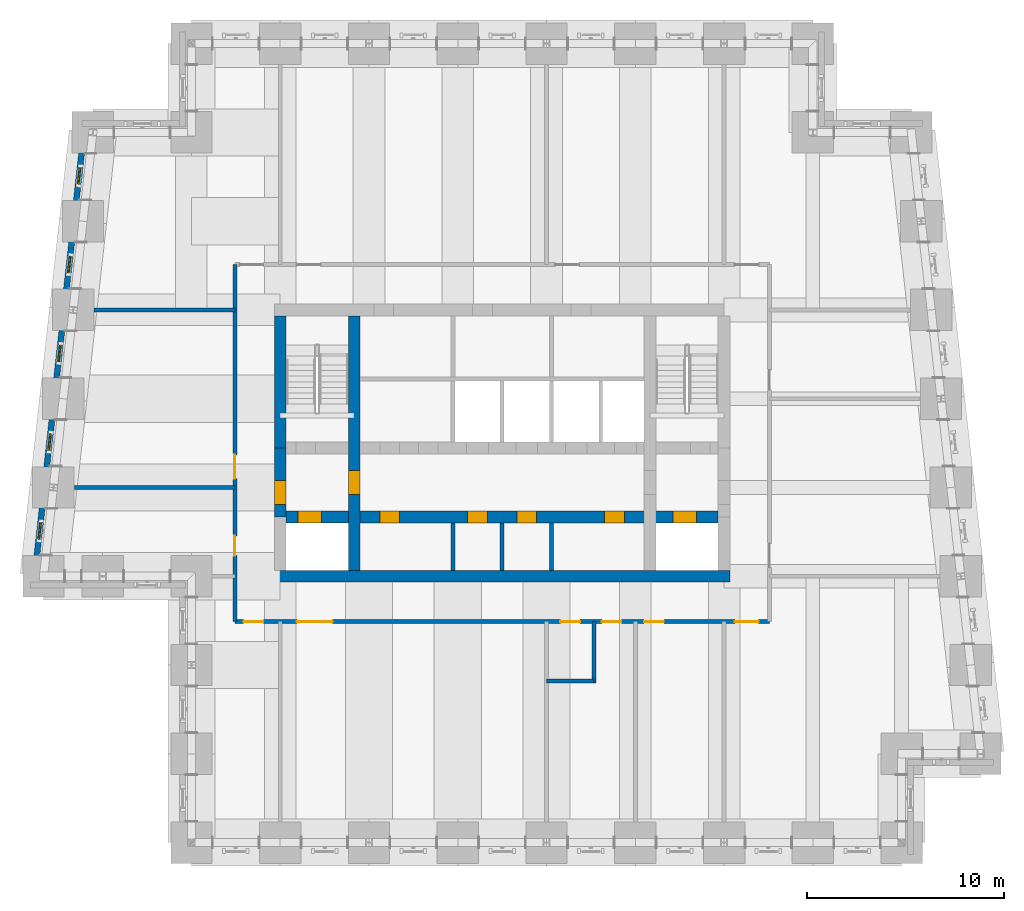
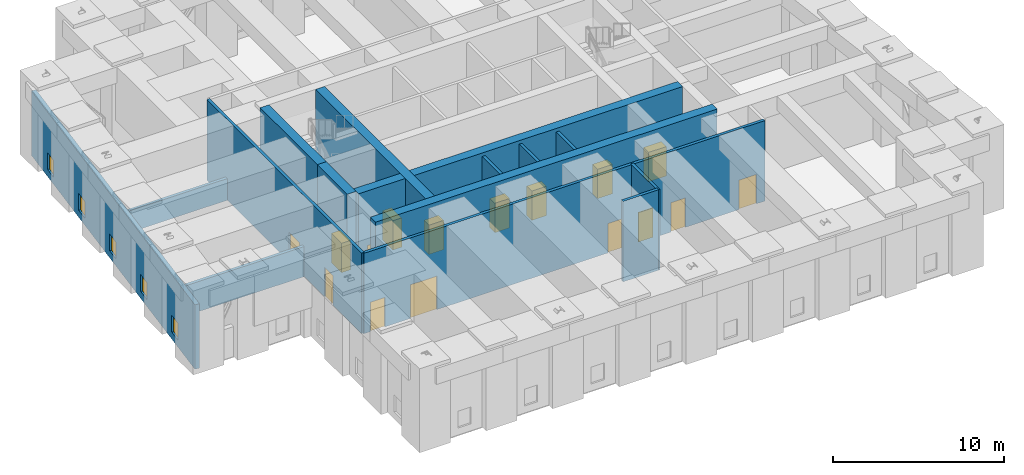
# One storey, part 3 of 17: 16 doors, 15 walls, 5 windows, 21 openings.
"""IFC4 building model written with IfcOpenShell, lengths in metres."""

from ifc_helpers import new_model, si_unit, direction, frame, frame_2d, origin, place, context, subcontext, project, spatial, rectangle, extrude, material, layer, layer_set, type_object, element, fill, save


model = new_model("IFC4")

# Units and contexts
model_context = context("Model", 3, precision=1e-05, world=origin(), true_north=direction((0.0, 1.0)))
body_context = subcontext(model_context, "Body", "Model", "MODEL_VIEW")
ifc_project = project(units=[si_unit("LENGTHUNIT", "METRE"), si_unit("AREAUNIT", "SQUARE_METRE"), si_unit("VOLUMEUNIT", "CUBIC_METRE"), si_unit("PLANEANGLEUNIT", "RADIAN"), si_unit("MASSUNIT", "GRAM", prefix="KILO")], contexts=[model_context])

# Site, building, storey
site_placement = place(None, origin())
site = spatial("IfcSite", under=ifc_project, at=site_placement, CompositionType="ELEMENT")
building_placement = place(site_placement, origin())
building = spatial("IfcBuilding", under=site, at=building_placement, Name="Kilele Tower Hotel", CompositionType="ELEMENT")
storey_placement = place(building_placement, frame((0.0, 0.0, 211.39990234375)))
storey = spatial("IfcBuildingStorey", under=building, at=storey_placement, Name="L55", CompositionType="ELEMENT", Elevation=211.39990234375)

# Wall
ifc_material_1 = material(Name="Concrete C60/75", Category="concrete")
ifc_layer_1 = layer(ifc_material_1, 0.60009765625)
ifc_layer_set_1 = layer_set([ifc_layer_1], Name="Concrete C60/75")
wall_type_1 = type_object("IfcWallType", Name="Core wall 600 C60/75", PredefinedType="SHEAR", material=ifc_layer_set_1)
wall_1_placement = place(storey_placement, frame((13.199951171875, 13.5, 0.0), z_axis=(0.0, 0.0, 1.0), x_axis=(1.0, 0.0, 0.0)))
element("IfcWall", 1, at=wall_1_placement, inside=storey, type_object=wall_type_1, Name="Core wall S L55", PredefinedType="SHEAR", context=body_context, shape_type="SweptSolid", body=[
    extrude(rectangle(XDim=23.10009765625, YDim=0.60009765625, at=frame_2d((11.550048828125, 0.0))), origin(), (0.0, 0.0, 1.0), 6.0),
])

# Wall, opening, door
wall_2_placement = place(storey_placement, frame((17.25, 13.800048828125, 0.0), z_axis=(0.0, 0.0, 1.0), x_axis=(0.0, 1.0, 0.0)))
wall_2 = element("IfcWall", 2, at=wall_2_placement, inside=storey, type_object=wall_type_1, Name="Core wall IW L55", PredefinedType="SHEAR", context=body_context, shape_type="SweptSolid", body=[
    extrude(rectangle(XDim=12.89990234375, YDim=0.60009765625, at=frame_2d((6.449951171875, 0.0))), origin(), (0.0, 0.0, 1.0), 6.0),
])
opening_1_placement = place(wall_2_placement, frame((3.85009765625, 0.0, 0.0)))
opening_1 = element("IfcOpeningElement", 3, at=opening_1_placement, cuts=wall_2, Name="Opening D4", PredefinedType="OPENING", context=body_context, shape_type="SweptSolid", body=[
    extrude(rectangle(XDim=1.199951171875, YDim=2.10009765625, at=frame_2d((0.60009765625, 1.050048828125))), frame((0.0, 0.31005859375, 0.0), z_axis=(0.0, -1.0, 0.0), x_axis=(1.0, 0.0, 0.0)), (0.0, 0.0, 1.0), 0.6201171875),
])
ifc_material_2 = material(Name="Timber door leaf in hardwood frame", Category="wood")
door_type_1 = type_object("IfcDoorType", Name="Firefighting lobby door 1200", OperationType="SINGLE_SWING_LEFT", PredefinedType="DOOR", material=ifc_material_2)
door_1_placement = place(opening_1_placement, origin())
door_1 = element("IfcDoor", 4, at=door_1_placement, inside=storey, type_object=door_type_1, Name="Lobby door L55", OperationType="SINGLE_SWING_LEFT", OverallHeight=2.10009765625, OverallWidth=1.199951171875, PredefinedType="DOOR", context=body_context, shape_type="SweptSolid", body=[
    extrude(rectangle(XDim=1.199951171875, YDim=2.10009765625, at=frame_2d((0.60009765625, 1.050048828125))), frame((0.0, 0.2998046875, 0.0), z_axis=(0.0, -1.0, 0.0), x_axis=(1.0, 0.0, 0.0)), (0.0, 0.0, 1.0), 0.599609375),
])
fill(opening_1, door_1)

# Wall, openings, doors
wall_3_placement = place(storey_placement, frame((13.800048828125, 16.5, 0.0), z_axis=(0.0, 0.0, 1.0), x_axis=(1.0, 0.0, 0.0)))
wall_3 = element("IfcWall", 5, at=wall_3_placement, inside=storey, type_object=wall_type_1, Name="Core wall LS L55", PredefinedType="SHEAR", context=body_context, shape_type="SweptSolid", body=[
    extrude(rectangle(XDim=21.89990234375, YDim=0.60009765625, at=frame_2d((10.949951171875, 0.0))), origin(), (0.0, 0.0, 1.0), 6.0),
])
opening_2_placement = place(wall_3_placement, frame((5.75, 0.0, 0.0), z_axis=(0.0, 0.0, 1.0), x_axis=(-1.0, 0.0, 0.0)))
opening_2 = element("IfcOpeningElement", 6, at=opening_2_placement, cuts=wall_3, Name="Opening D11", PredefinedType="OPENING", context=body_context, shape_type="SweptSolid", body=[
    extrude(rectangle(XDim=1.0, YDim=2.10009765625, at=frame_2d((0.5, 1.050048828125))), frame((0.0, 0.31005859375, 0.0), z_axis=(0.0, -1.0, 0.0), x_axis=(1.0, 0.0, 0.0)), (0.0, 0.0, 1.0), 0.6201171875),
])
opening_3_placement = place(wall_3_placement, frame((10.199951171875, 0.0, 0.0), z_axis=(0.0, 0.0, 1.0), x_axis=(-1.0, 0.0, 0.0)))
opening_3 = element("IfcOpeningElement", 7, at=opening_3_placement, cuts=wall_3, Name="Opening D11", PredefinedType="OPENING", context=body_context, shape_type="SweptSolid", body=[
    extrude(rectangle(XDim=1.0, YDim=2.10009765625, at=frame_2d((0.5, 1.050048828125))), frame((0.0, 0.31005859375, 0.0), z_axis=(0.0, -1.0, 0.0), x_axis=(1.0, 0.0, 0.0)), (0.0, 0.0, 1.0), 0.6201171875),
])
opening_4_placement = place(wall_3_placement, frame((12.699951171875, 0.0, 0.0), z_axis=(0.0, 0.0, 1.0), x_axis=(-1.0, 0.0, 0.0)))
opening_4 = element("IfcOpeningElement", 8, at=opening_4_placement, cuts=wall_3, Name="Opening D11", PredefinedType="OPENING", context=body_context, shape_type="SweptSolid", body=[
    extrude(rectangle(XDim=1.0, YDim=2.10009765625, at=frame_2d((0.5, 1.050048828125))), frame((0.0, 0.31005859375, 0.0), z_axis=(0.0, -1.0, 0.0), x_axis=(1.0, 0.0, 0.0)), (0.0, 0.0, 1.0), 0.6201171875),
])
opening_5_placement = place(wall_3_placement, frame((17.14990234375, 0.0, 0.0), z_axis=(0.0, 0.0, 1.0), x_axis=(-1.0, 0.0, 0.0)))
opening_5 = element("IfcOpeningElement", 9, at=opening_5_placement, cuts=wall_3, Name="Opening D11", PredefinedType="OPENING", context=body_context, shape_type="SweptSolid", body=[
    extrude(rectangle(XDim=1.0, YDim=2.10009765625, at=frame_2d((0.5, 1.050048828125))), frame((0.0, 0.31005859375, 0.0), z_axis=(0.0, -1.0, 0.0), x_axis=(1.0, 0.0, 0.0)), (0.0, 0.0, 1.0), 0.6201171875),
])
opening_6_placement = place(wall_3_placement, frame((0.60009765625, 0.0, 0.0)))
opening_6 = element("IfcOpeningElement", 10, at=opening_6_placement, cuts=wall_3, Name="Opening LD2", PredefinedType="OPENING", context=body_context, shape_type="SweptSolid", body=[
    extrude(rectangle(XDim=1.199951171875, YDim=2.10009765625, at=frame_2d((0.60009765625, 1.050048828125))), frame((0.0, 0.31005859375, 0.0), z_axis=(0.0, -1.0, 0.0), x_axis=(1.0, 0.0, 0.0)), (0.0, 0.0, 1.0), 0.6201171875),
])
opening_7_placement = place(wall_3_placement, frame((19.60009765625, 0.0, 0.0)))
opening_7 = element("IfcOpeningElement", 11, at=opening_7_placement, cuts=wall_3, Name="Opening LD2", PredefinedType="OPENING", context=body_context, shape_type="SweptSolid", body=[
    extrude(rectangle(XDim=1.199951171875, YDim=2.10009765625, at=frame_2d((0.60009765625, 1.050048828125))), frame((0.0, 0.31005859375, 0.0), z_axis=(0.0, -1.0, 0.0), x_axis=(1.0, 0.0, 0.0)), (0.0, 0.0, 1.0), 0.6201171875),
])
ifc_material_3 = material(Name="Timber door leaf in hardwood frame", Category="wood")
door_type_2 = type_object("IfcDoorType", Name="Core store door 1000", OperationType="SINGLE_SWING_LEFT", PredefinedType="DOOR", material=ifc_material_3)
door_2_placement = place(opening_2_placement, origin())
door_2 = element("IfcDoor", 12, at=door_2_placement, inside=storey, type_object=door_type_2, Name="Core room door L1 L55", OperationType="SINGLE_SWING_RIGHT", OverallHeight=2.10009765625, OverallWidth=1.0, PredefinedType="DOOR", context=body_context, shape_type="SweptSolid", body=[
    extrude(rectangle(XDim=1.0, YDim=2.10009765625, at=frame_2d((0.5, 1.050048828125))), frame((0.0, 0.2998046875, 0.0), z_axis=(0.0, -1.0, 0.0), x_axis=(1.0, 0.0, 0.0)), (0.0, 0.0, 1.0), 0.599609375),
])
fill(opening_2, door_2)
door_3_placement = place(opening_3_placement, origin())
door_3 = element("IfcDoor", 13, at=door_3_placement, inside=storey, type_object=door_type_2, Name="Core room door L3 L55", OperationType="SINGLE_SWING_RIGHT", OverallHeight=2.10009765625, OverallWidth=1.0, PredefinedType="DOOR", context=body_context, shape_type="SweptSolid", body=[
    extrude(rectangle(XDim=1.0, YDim=2.10009765625, at=frame_2d((0.5, 1.050048828125))), frame((0.0, 0.2998046875, 0.0), z_axis=(0.0, -1.0, 0.0), x_axis=(1.0, 0.0, 0.0)), (0.0, 0.0, 1.0), 0.599609375),
])
fill(opening_3, door_3)
door_4_placement = place(opening_4_placement, origin())
door_4 = element("IfcDoor", 14, at=door_4_placement, inside=storey, type_object=door_type_2, Name="Core room door M1 L55", OperationType="SINGLE_SWING_LEFT", OverallHeight=2.10009765625, OverallWidth=1.0, PredefinedType="DOOR", context=body_context, shape_type="SweptSolid", body=[
    extrude(rectangle(XDim=1.0, YDim=2.10009765625, at=frame_2d((0.5, 1.050048828125))), frame((0.0, 0.2998046875, 0.0), z_axis=(0.0, -1.0, 0.0), x_axis=(1.0, 0.0, 0.0)), (0.0, 0.0, 1.0), 0.599609375),
])
fill(opening_4, door_4)
door_5_placement = place(opening_5_placement, origin())
door_5 = element("IfcDoor", 15, at=door_5_placement, inside=storey, type_object=door_type_2, Name="Core room door M3 L55", OperationType="SINGLE_SWING_LEFT", OverallHeight=2.10009765625, OverallWidth=1.0, PredefinedType="DOOR", context=body_context, shape_type="SweptSolid", body=[
    extrude(rectangle(XDim=1.0, YDim=2.10009765625, at=frame_2d((0.5, 1.050048828125))), frame((0.0, 0.2998046875, 0.0), z_axis=(0.0, -1.0, 0.0), x_axis=(1.0, 0.0, 0.0)), (0.0, 0.0, 1.0), 0.599609375),
])
fill(opening_5, door_5)
ifc_material_4 = material(Name="Steel lift landing door", Category="steel")
door_type_3 = type_object("IfcDoorType", Name="Firefighting lift landing door 1200", OperationType="SLIDING_TO_LEFT", PredefinedType="DOOR", material=ifc_material_4)
door_6_placement = place(opening_6_placement, origin())
door_6 = element("IfcDoor", 16, at=door_6_placement, inside=storey, type_object=door_type_3, Name="Landing door FFW L55", OperationType="SLIDING_TO_LEFT", OverallHeight=2.10009765625, OverallWidth=1.199951171875, PredefinedType="DOOR", context=body_context, shape_type="SweptSolid", body=[
    extrude(rectangle(XDim=1.199951171875, YDim=2.10009765625, at=frame_2d((0.60009765625, 1.050048828125))), frame((0.0, 0.2998046875, 0.0), z_axis=(0.0, -1.0, 0.0), x_axis=(1.0, 0.0, 0.0)), (0.0, 0.0, 1.0), 0.599609375),
])
fill(opening_6, door_6)
door_7_placement = place(opening_7_placement, origin())
door_7 = element("IfcDoor", 17, at=door_7_placement, inside=storey, type_object=door_type_3, Name="Landing door FFE L55", OperationType="SLIDING_TO_LEFT", OverallHeight=2.10009765625, OverallWidth=1.199951171875, PredefinedType="DOOR", context=body_context, shape_type="SweptSolid", body=[
    extrude(rectangle(XDim=1.199951171875, YDim=2.10009765625, at=frame_2d((0.60009765625, 1.050048828125))), frame((0.0, 0.2998046875, 0.0), z_axis=(0.0, -1.0, 0.0), x_axis=(1.0, 0.0, 0.0)), (0.0, 0.0, 1.0), 0.599609375),
])
fill(opening_7, door_7)

# Wall
wall_4_placement = place(storey_placement, frame((13.5, 26.699951171875, 0.0), z_axis=(0.0, 0.0, 1.0), x_axis=(0.0, -1.0, 0.0)))
element("IfcWall", 18, at=wall_4_placement, inside=storey, type_object=wall_type_1, Name="Core wall W1 L55", PredefinedType="SHEAR", context=body_context, shape_type="SweptSolid", body=[
    extrude(rectangle(XDim=6.699951171875, YDim=0.60009765625, at=frame_2d((3.35009765625, 0.0))), origin(), (0.0, 0.0, 1.0), 6.0),
])

# Wall, opening, door
wall_5_placement = place(storey_placement, frame((13.5, 20.0, 0.0), z_axis=(0.0, 0.0, 1.0), x_axis=(0.0, -1.0, 0.0)))
wall_5 = element("IfcWall", 19, at=wall_5_placement, inside=storey, type_object=wall_type_1, Name="Core wall W2 L55", PredefinedType="SHEAR", context=body_context, shape_type="SweptSolid", body=[
    extrude(rectangle(XDim=3.5, YDim=0.60009765625, at=frame_2d((1.75, 0.0))), origin(), (0.0, 0.0, 1.0), 6.0),
])
opening_8_placement = place(wall_5_placement, frame((1.64990234375, 0.0, 0.0)))
opening_8 = element("IfcOpeningElement", 20, at=opening_8_placement, cuts=wall_5, Name="Opening D4", PredefinedType="OPENING", context=body_context, shape_type="SweptSolid", body=[
    extrude(rectangle(XDim=1.199951171875, YDim=2.10009765625, at=frame_2d((0.60009765625, 1.050048828125))), frame((0.0, 0.31005859375, 0.0), z_axis=(0.0, -1.0, 0.0), x_axis=(1.0, 0.0, 0.0)), (0.0, 0.0, 1.0), 0.6201171875),
])
door_8_placement = place(opening_8_placement, origin())
door_8 = element("IfcDoor", 21, at=door_8_placement, inside=storey, type_object=door_type_1, Name="Lobby door L55", OperationType="SINGLE_SWING_RIGHT", OverallHeight=2.10009765625, OverallWidth=1.199951171875, PredefinedType="DOOR", context=body_context, shape_type="SweptSolid", body=[
    extrude(rectangle(XDim=1.199951171875, YDim=2.10009765625, at=frame_2d((0.60009765625, 1.050048828125))), frame((0.0, 0.2998046875, 0.0), z_axis=(0.0, -1.0, 0.0), x_axis=(1.0, 0.0, 0.0)), (0.0, 0.0, 1.0), 0.599609375),
])
fill(opening_8, door_8)

# Wall, openings, doors
ifc_material_5 = material(Name="Blockwork, plastered both sides", Category="masonry")
ifc_layer_2 = layer(ifc_material_5, 0.199951171875)
ifc_layer_set_2 = layer_set([ifc_layer_2], Name="Blockwork, plastered both sides")
wall_type_2 = type_object("IfcWallType", Name="Corridor wall 200", PredefinedType="PARTITIONING", material=ifc_layer_set_2)
wall_6_placement = place(storey_placement, frame((11.199951171875, 11.199951171875, 0.0), z_axis=(0.0, 0.0, 1.0), x_axis=(1.0, 0.0, 0.0)))
wall_6 = element("IfcWall", 22, at=wall_6_placement, inside=storey, type_object=wall_type_2, Name="Corridor wall 200 L55", PredefinedType="PARTITIONING", context=body_context, shape_type="SweptSolid", body=[
    extrude(rectangle(XDim=27.10009765625, YDim=0.199951171875, at=frame_2d((13.550048828125, 0.0))), origin(), (0.0, 0.0, 1.0), 5.75),
])
opening_9_placement = place(wall_6_placement, frame((4.949951171875, 0.0, 0.0), z_axis=(0.0, 0.0, 1.0), x_axis=(-1.0, 0.0, 0.0)))
opening_9 = element("IfcOpeningElement", 23, at=opening_9_placement, cuts=wall_6, Name="Opening D9", PredefinedType="OPENING", context=body_context, shape_type="SweptSolid", body=[
    extrude(rectangle(XDim=1.800048828125, YDim=2.39990234375, at=frame_2d((0.89990234375, 1.199951171875))), frame((0.0, 0.10986328125, 0.0), z_axis=(0.0, -1.0, 0.0), x_axis=(1.0, 0.0, 0.0)), (0.0, 0.0, 1.0), 0.219970703125),
])
opening_10_placement = place(wall_6_placement, frame((17.5, 0.0, 0.0), z_axis=(0.0, 0.0, 1.0), x_axis=(-1.0, 0.0, 0.0)))
opening_10 = element("IfcOpeningElement", 24, at=opening_10_placement, cuts=wall_6, Name="Opening D8", PredefinedType="OPENING", context=body_context, shape_type="SweptSolid", body=[
    extrude(rectangle(XDim=1.0, YDim=2.10009765625, at=frame_2d((0.5, 1.050048828125))), frame((0.0, 0.10986328125, 0.0), z_axis=(0.0, -1.0, 0.0), x_axis=(1.0, 0.0, 0.0)), (0.0, 0.0, 1.0), 0.219970703125),
])
opening_11_placement = place(wall_6_placement, frame((19.60009765625, 0.0, 0.0), z_axis=(0.0, 0.0, 1.0), x_axis=(-1.0, 0.0, 0.0)))
opening_11 = element("IfcOpeningElement", 25, at=opening_11_placement, cuts=wall_6, Name="Opening D8", PredefinedType="OPENING", context=body_context, shape_type="SweptSolid", body=[
    extrude(rectangle(XDim=1.0, YDim=2.10009765625, at=frame_2d((0.5, 1.050048828125))), frame((0.0, 0.10986328125, 0.0), z_axis=(0.0, -1.0, 0.0), x_axis=(1.0, 0.0, 0.0)), (0.0, 0.0, 1.0), 0.219970703125),
])
opening_12_placement = place(wall_6_placement, frame((21.75, 0.0, 0.0), z_axis=(0.0, 0.0, 1.0), x_axis=(-1.0, 0.0, 0.0)))
opening_12 = element("IfcOpeningElement", 26, at=opening_12_placement, cuts=wall_6, Name="Opening D7", PredefinedType="OPENING", context=body_context, shape_type="SweptSolid", body=[
    extrude(rectangle(XDim=1.0, YDim=2.10009765625, at=frame_2d((0.5, 1.050048828125))), frame((0.0, 0.10986328125, 0.0), z_axis=(0.0, -1.0, 0.0), x_axis=(1.0, 0.0, 0.0)), (0.0, 0.0, 1.0), 0.219970703125),
])
opening_13_placement = place(wall_6_placement, frame((1.449951171875, 0.0, 0.0), z_axis=(0.0, 0.0, 1.0), x_axis=(-1.0, 0.0, 0.0)))
opening_13 = element("IfcOpeningElement", 27, at=opening_13_placement, cuts=wall_6, Name="Opening D7", PredefinedType="OPENING", context=body_context, shape_type="SweptSolid", body=[
    extrude(rectangle(XDim=1.0, YDim=2.10009765625, at=frame_2d((0.5, 1.050048828125))), frame((0.0, 0.10986328125, 0.0), z_axis=(0.0, -1.0, 0.0), x_axis=(1.0, 0.0, 0.0)), (0.0, 0.0, 1.0), 0.219970703125),
])
opening_14_placement = place(wall_6_placement, frame((26.550048828125, 0.0, 0.0), z_axis=(0.0, 0.0, 1.0), x_axis=(-1.0, 0.0, 0.0)))
opening_14 = element("IfcOpeningElement", 28, at=opening_14_placement, cuts=wall_6, Name="Opening D7A", PredefinedType="OPENING", context=body_context, shape_type="SweptSolid", body=[
    extrude(rectangle(XDim=1.199951171875, YDim=2.10009765625, at=frame_2d((0.60009765625, 1.050048828125))), frame((0.0, 0.10986328125, 0.0), z_axis=(0.0, -1.0, 0.0), x_axis=(1.0, 0.0, 0.0)), (0.0, 0.0, 1.0), 0.219970703125),
])
ifc_material_6 = material(Name="Timber door leaf in hardwood frame", Category="wood")
door_type_4 = type_object("IfcDoorType", Name="Door 1000", OperationType="SINGLE_SWING_LEFT", PredefinedType="DOOR", material=ifc_material_6)
door_9_placement = place(opening_10_placement, origin())
door_9 = element("IfcDoor", 29, at=door_9_placement, inside=storey, type_object=door_type_4, Name="Door Accessible WC 5502", OperationType="SINGLE_SWING_LEFT", OverallHeight=2.10009765625, OverallWidth=1.0, PredefinedType="DOOR", context=body_context, shape_type="SweptSolid", body=[
    extrude(rectangle(XDim=1.0, YDim=2.10009765625, at=frame_2d((0.5, 1.050048828125))), frame((0.0, 0.02490234375, 0.0), z_axis=(0.0, -1.0, 0.0), x_axis=(1.0, 0.0, 0.0)), (0.0, 0.0, 1.0), 0.050048828125),
])
fill(opening_10, door_9)
door_10_placement = place(opening_11_placement, origin())
door_10 = element("IfcDoor", 30, at=door_10_placement, inside=storey, type_object=door_type_4, Name="Door Refuge store 5503", OperationType="SINGLE_SWING_RIGHT", OverallHeight=2.10009765625, OverallWidth=1.0, PredefinedType="DOOR", context=body_context, shape_type="SweptSolid", body=[
    extrude(rectangle(XDim=1.0, YDim=2.10009765625, at=frame_2d((0.5, 1.050048828125))), frame((0.0, 0.02490234375, 0.0), z_axis=(0.0, -1.0, 0.0), x_axis=(1.0, 0.0, 0.0)), (0.0, 0.0, 1.0), 0.050048828125),
])
fill(opening_11, door_10)
ifc_material_7 = material(Name="Timber door leaf in hardwood frame", Category="wood")
door_type_5 = type_object("IfcDoorType", Name="Double door 1800", OperationType="DOUBLE_DOOR_SINGLE_SWING", PredefinedType="DOOR", material=ifc_material_7)
door_11_placement = place(opening_9_placement, origin())
door_11 = element("IfcDoor", 31, at=door_11_placement, inside=storey, type_object=door_type_5, Name="Door Refuge area 5501", OperationType="DOUBLE_DOOR_SINGLE_SWING", OverallHeight=2.39990234375, OverallWidth=1.800048828125, PredefinedType="DOOR", context=body_context, shape_type="SweptSolid", body=[
    extrude(rectangle(XDim=1.800048828125, YDim=2.39990234375, at=frame_2d((0.89990234375, 1.199951171875))), frame((0.0, 0.02490234375, 0.0), z_axis=(0.0, -1.0, 0.0), x_axis=(1.0, 0.0, 0.0)), (0.0, 0.0, 1.0), 0.050048828125),
])
fill(opening_9, door_11)
ifc_material_8 = material(Name="Timber door leaf in hardwood frame", Category="wood")
door_type_6 = type_object("IfcDoorType", Name="Plant room door 1000", OperationType="SINGLE_SWING_LEFT", PredefinedType="DOOR", material=ifc_material_8)
door_12_placement = place(opening_12_placement, origin())
door_12 = element("IfcDoor", 32, at=door_12_placement, inside=storey, type_object=door_type_6, Name="Door High-zone electrical switch room 5504", OperationType="SINGLE_SWING_RIGHT", OverallHeight=2.10009765625, OverallWidth=1.0, PredefinedType="DOOR", context=body_context, shape_type="SweptSolid", body=[
    extrude(rectangle(XDim=1.0, YDim=2.10009765625, at=frame_2d((0.5, 1.050048828125))), frame((0.0, 0.02490234375, 0.0), z_axis=(0.0, -1.0, 0.0), x_axis=(1.0, 0.0, 0.0)), (0.0, 0.0, 1.0), 0.050048828125),
])
fill(opening_12, door_12)
door_13_placement = place(opening_13_placement, origin())
door_13 = element("IfcDoor", 33, at=door_13_placement, inside=storey, type_object=door_type_6, Name="Door High-zone sprinkler zone valve room 5511", OperationType="SINGLE_SWING_LEFT", OverallHeight=2.10009765625, OverallWidth=1.0, PredefinedType="DOOR", context=body_context, shape_type="SweptSolid", body=[
    extrude(rectangle(XDim=1.0, YDim=2.10009765625, at=frame_2d((0.5, 1.050048828125))), frame((0.0, 0.02490234375, 0.0), z_axis=(0.0, -1.0, 0.0), x_axis=(1.0, 0.0, 0.0)), (0.0, 0.0, 1.0), 0.050048828125),
])
fill(opening_13, door_13)
ifc_material_9 = material(Name="Timber door leaf in hardwood frame", Category="wood")
door_type_7 = type_object("IfcDoorType", Name="Plant room door 1200", OperationType="SINGLE_SWING_LEFT", PredefinedType="DOOR", material=ifc_material_9)
door_14_placement = place(opening_14_placement, origin())
door_14 = element("IfcDoor", 34, at=door_14_placement, inside=storey, type_object=door_type_7, Name="Door High-zone smoke extract fan room 5512", OperationType="SINGLE_SWING_RIGHT", OverallHeight=2.10009765625, OverallWidth=1.199951171875, PredefinedType="DOOR", context=body_context, shape_type="SweptSolid", body=[
    extrude(rectangle(XDim=1.199951171875, YDim=2.10009765625, at=frame_2d((0.60009765625, 1.050048828125))), frame((0.0, 0.02490234375, 0.0), z_axis=(0.0, -1.0, 0.0), x_axis=(1.0, 0.0, 0.0)), (0.0, 0.0, 1.0), 0.050048828125),
])
fill(opening_14, door_14)

wall_7_placement = place(storey_placement, frame((11.199951171875, 11.199951171875, 0.0), z_axis=(0.0, 0.0, 1.0), x_axis=(0.0, 1.0, 0.0)))
wall_7 = element("IfcWall", 35, at=wall_7_placement, inside=storey, type_object=wall_type_2, Name="Corridor wall 200 L55", PredefinedType="PARTITIONING", context=body_context, shape_type="SweptSolid", body=[
    extrude(rectangle(XDim=18.10009765625, YDim=0.199951171875, at=frame_2d((9.050048828125, 0.0))), origin(), (0.0, 0.0, 1.0), 5.75),
])
opening_15_placement = place(wall_7_placement, frame((3.35009765625, 0.0, 0.0)))
opening_15 = element("IfcOpeningElement", 36, at=opening_15_placement, cuts=wall_7, Name="Opening D7", PredefinedType="OPENING", context=body_context, shape_type="SweptSolid", body=[
    extrude(rectangle(XDim=1.0, YDim=2.10009765625, at=frame_2d((0.5, 1.050048828125))), frame((0.0, 0.10986328125, 0.0), z_axis=(0.0, -1.0, 0.0), x_axis=(1.0, 0.0, 0.0)), (0.0, 0.0, 1.0), 0.219970703125),
])
opening_16_placement = place(wall_7_placement, frame((7.25, 0.0, 0.0)))
opening_16 = element("IfcOpeningElement", 37, at=opening_16_placement, cuts=wall_7, Name="Opening D7A", PredefinedType="OPENING", context=body_context, shape_type="SweptSolid", body=[
    extrude(rectangle(XDim=1.199951171875, YDim=2.10009765625, at=frame_2d((0.60009765625, 1.050048828125))), frame((0.0, 0.10986328125, 0.0), z_axis=(0.0, -1.0, 0.0), x_axis=(1.0, 0.0, 0.0)), (0.0, 0.0, 1.0), 0.219970703125),
])
door_15_placement = place(opening_15_placement, origin())
door_15 = element("IfcDoor", 38, at=door_15_placement, inside=storey, type_object=door_type_6, Name="Door Stair pressurisation fan room 5509", OperationType="SINGLE_SWING_LEFT", OverallHeight=2.10009765625, OverallWidth=1.0, PredefinedType="DOOR", context=body_context, shape_type="SweptSolid", body=[
    extrude(rectangle(XDim=1.0, YDim=2.10009765625, at=frame_2d((0.5, 1.050048828125))), frame((0.0, 0.02490234375, 0.0), z_axis=(0.0, -1.0, 0.0), x_axis=(1.0, 0.0, 0.0)), (0.0, 0.0, 1.0), 0.050048828125),
])
fill(opening_15, door_15)
door_16_placement = place(opening_16_placement, origin())
door_16 = element("IfcDoor", 39, at=door_16_placement, inside=storey, type_object=door_type_7, Name="Door High-zone water tank room 5510", OperationType="SINGLE_SWING_LEFT", OverallHeight=2.10009765625, OverallWidth=1.199951171875, PredefinedType="DOOR", context=body_context, shape_type="SweptSolid", body=[
    extrude(rectangle(XDim=1.199951171875, YDim=2.10009765625, at=frame_2d((0.60009765625, 1.050048828125))), frame((0.0, 0.02490234375, 0.0), z_axis=(0.0, -1.0, 0.0), x_axis=(1.0, 0.0, 0.0)), (0.0, 0.0, 1.0), 0.050048828125),
])
fill(opening_16, door_16)

# Walls
ifc_material_10 = material(Name="Blockwork, plastered both sides", Category="masonry")
ifc_layer_3 = layer(ifc_material_10, 0.199951171875)
ifc_layer_set_3 = layer_set([ifc_layer_3], Name="Blockwork, plastered both sides")
wall_type_3 = type_object("IfcWallType", Name="Partition wall 200", PredefinedType="PARTITIONING", material=ifc_layer_set_3)
wall_8_placement = place(storey_placement, frame((11.199951171875, 18.0, 0.0), z_axis=(0.0, 0.0, 1.0), x_axis=(-1.0, 0.0, 0.0)))
element("IfcWall", 40, at=wall_8_placement, inside=storey, type_object=wall_type_3, Name="Partition wall 200 L55", PredefinedType="PARTITIONING", context=body_context, shape_type="SweptSolid", body=[
    extrude(rectangle(XDim=8.13916015625, YDim=0.199951171875, at=frame_2d((4.069580078125, 0.0))), origin(), (0.0, 0.0, 1.0), 2.150146484375),
])
wall_9_placement = place(storey_placement, frame((11.199951171875, 27.0, 0.0), z_axis=(0.0, 0.0, 1.0), x_axis=(-1.0, 0.0, 0.0)))
element("IfcWall", 41, at=wall_9_placement, inside=storey, type_object=wall_type_3, Name="Partition wall 200 L55", PredefinedType="PARTITIONING", context=body_context, shape_type="SweptSolid", body=[
    extrude(rectangle(XDim=7.13916015625, YDim=0.199951171875, at=frame_2d((3.569580078125, 0.0))), origin(), (0.0, 0.0, 1.0), 1.550048828125),
])
wall_10_placement = place(storey_placement, frame((29.39990234375, 11.199951171875, 0.0), z_axis=(0.0, 0.0, 1.0), x_axis=(0.0, -1.0, 0.0)))
element("IfcWall", 42, at=wall_10_placement, inside=storey, type_object=wall_type_3, Name="Partition wall 200 L55", PredefinedType="PARTITIONING", context=body_context, shape_type="SweptSolid", body=[
    extrude(rectangle(XDim=3.099853515625, YDim=0.199951171875, at=frame_2d((1.5498046875, 0.0))), origin(), (0.0, 0.0, 1.0), 5.75),
])
wall_11_placement = place(storey_placement, frame((27.0, 8.199951171875, 0.0), z_axis=(0.0, 0.0, 1.0), x_axis=(1.0, 0.0, 0.0)))
element("IfcWall", 43, at=wall_11_placement, inside=storey, type_object=wall_type_3, Name="Partition wall 200 L55", PredefinedType="PARTITIONING", context=body_context, shape_type="SweptSolid", body=[
    extrude(rectangle(XDim=2.39990234375, YDim=0.199951171875, at=frame_2d((1.199951171875, 0.0))), origin(), (0.0, 0.0, 1.0), 5.75),
])

# Wall, openings, windows
ifc_material_11 = material(Name="Concrete C40/50 precast", Category="concrete")
ifc_layer_4 = layer(ifc_material_11, 0.260009765625, Name="Precast backing", Category="LoadBearing")
ifc_material_12 = material(Name="Reconstituted stone finish", Category="masonry")
ifc_layer_5 = layer(ifc_material_12, 0.0400390625, Name="Face mix", Category="Finish")
ifc_layer_set_4 = layer_set([ifc_layer_4, ifc_layer_5], Name="Precast concrete C40/50, reconstituted stone finish")
wall_type_4 = type_object("IfcWallType", Name="Precast stone facade wall 300", PredefinedType="STANDARD", material=ifc_layer_set_4)
wall_12_placement = place(storey_placement, frame((3.61376953125, 36.59912109375, 0.0), z_axis=(0.0, 0.0, 1.0), x_axis=(-0.11042815468, -0.993884109267, 0.0)))
wall_12 = element("IfcWall", 44, at=wall_12_placement, inside=storey, type_object=wall_type_4, Name="Facade wall L55 edge 12", PredefinedType="STANDARD", context=body_context, shape_type="SweptSolid", body=[
    extrude(rectangle(XDim=23.843994140625, YDim=0.300048828125, at=frame_2d((11.921875, 0.0))), origin(), (0.0, 0.0, 1.0), 4.60009765625),
])
opening_17_placement = place(wall_12_placement, frame((2.36669921875, 0.0, 0.5)))
opening_17 = element("IfcOpeningElement", 45, at=opening_17_placement, cuts=wall_12, Name="Opening LV1", PredefinedType="OPENING", context=body_context, shape_type="SweptSolid", body=[
    extrude(rectangle(XDim=0.89990234375, YDim=1.199951171875, at=frame_2d((0.449951171875, 0.60009765625))), frame((0.0, 0.159912109375, 0.0), z_axis=(0.0, -1.0, 0.0), x_axis=(1.0, 0.0, 0.0)), (0.0, 0.0, 1.0), 0.320068359375),
])
opening_18_placement = place(wall_12_placement, frame((6.894775390625, 0.0, 0.5)))
opening_18 = element("IfcOpeningElement", 46, at=opening_18_placement, cuts=wall_12, Name="Opening LV1", PredefinedType="OPENING", context=body_context, shape_type="SweptSolid", body=[
    extrude(rectangle(XDim=0.89990234375, YDim=1.199951171875, at=frame_2d((0.449951171875, 0.60009765625))), frame((0.0, 0.159912109375, 0.0), z_axis=(0.0, -1.0, 0.0), x_axis=(1.0, 0.0, 0.0)), (0.0, 0.0, 1.0), 0.320068359375),
])
opening_19_placement = place(wall_12_placement, frame((11.421875, 0.0, 0.5)))
opening_19 = element("IfcOpeningElement", 47, at=opening_19_placement, cuts=wall_12, Name="Opening LV1", PredefinedType="OPENING", context=body_context, shape_type="SweptSolid", body=[
    extrude(rectangle(XDim=0.89990234375, YDim=1.199951171875, at=frame_2d((0.449951171875, 0.60009765625))), frame((0.0, 0.159912109375, 0.0), z_axis=(0.0, -1.0, 0.0), x_axis=(1.0, 0.0, 0.0)), (0.0, 0.0, 1.0), 0.320068359375),
])
opening_20_placement = place(wall_12_placement, frame((15.94970703125, 0.0, 0.5)))
opening_20 = element("IfcOpeningElement", 48, at=opening_20_placement, cuts=wall_12, Name="Opening LV1", PredefinedType="OPENING", context=body_context, shape_type="SweptSolid", body=[
    extrude(rectangle(XDim=0.89990234375, YDim=1.199951171875, at=frame_2d((0.449951171875, 0.60009765625))), frame((0.0, 0.159912109375, 0.0), z_axis=(0.0, -1.0, 0.0), x_axis=(1.0, 0.0, 0.0)), (0.0, 0.0, 1.0), 0.320068359375),
])
opening_21_placement = place(wall_12_placement, frame((20.477783203125, 0.0, 0.5)))
opening_21 = element("IfcOpeningElement", 49, at=opening_21_placement, cuts=wall_12, Name="Opening LV1", PredefinedType="OPENING", context=body_context, shape_type="SweptSolid", body=[
    extrude(rectangle(XDim=0.89990234375, YDim=1.199951171875, at=frame_2d((0.449951171875, 0.60009765625))), frame((0.0, 0.159912109375, 0.0), z_axis=(0.0, -1.0, 0.0), x_axis=(1.0, 0.0, 0.0)), (0.0, 0.0, 1.0), 0.320068359375),
])
ifc_material_13 = material(Name="Aluminium weather louvre with insect mesh", Category="aluminium")
window_type = type_object("IfcWindowType", Name="Ventilation louvre 900 x 1200", PartitioningType="SINGLE_PANEL", PredefinedType="USERDEFINED", material=ifc_material_13)
window_1_placement = place(opening_17_placement, origin())
window_1 = element("IfcWindow", 50, at=window_1_placement, inside=storey, type_object=window_type, Name="Louvre L55", ObjectType="LOUVRE", OverallHeight=1.199951171875, OverallWidth=0.89990234375, PartitioningType="SINGLE_PANEL", PredefinedType="USERDEFINED", context=body_context, shape_type="SweptSolid", body=[
    extrude(rectangle(XDim=0.89990234375, YDim=1.199951171875, at=frame_2d((0.449951171875, 0.60009765625))), frame((0.0, 0.030029296875, 0.0), z_axis=(0.0, -1.0, 0.0), x_axis=(1.0, 0.0, 0.0)), (0.0, 0.0, 1.0), 0.06005859375),
])
fill(opening_17, window_1)
window_2_placement = place(opening_18_placement, origin())
window_2 = element("IfcWindow", 51, at=window_2_placement, inside=storey, type_object=window_type, Name="Louvre L55", ObjectType="LOUVRE", OverallHeight=1.199951171875, OverallWidth=0.89990234375, PartitioningType="SINGLE_PANEL", PredefinedType="USERDEFINED", context=body_context, shape_type="SweptSolid", body=[
    extrude(rectangle(XDim=0.89990234375, YDim=1.199951171875, at=frame_2d((0.449951171875, 0.60009765625))), frame((0.0, 0.030029296875, 0.0), z_axis=(0.0, -1.0, 0.0), x_axis=(1.0, 0.0, 0.0)), (0.0, 0.0, 1.0), 0.06005859375),
])
fill(opening_18, window_2)
window_3_placement = place(opening_19_placement, origin())
window_3 = element("IfcWindow", 52, at=window_3_placement, inside=storey, type_object=window_type, Name="Louvre L55", ObjectType="LOUVRE", OverallHeight=1.199951171875, OverallWidth=0.89990234375, PartitioningType="SINGLE_PANEL", PredefinedType="USERDEFINED", context=body_context, shape_type="SweptSolid", body=[
    extrude(rectangle(XDim=0.89990234375, YDim=1.199951171875, at=frame_2d((0.449951171875, 0.60009765625))), frame((0.0, 0.030029296875, 0.0), z_axis=(0.0, -1.0, 0.0), x_axis=(1.0, 0.0, 0.0)), (0.0, 0.0, 1.0), 0.06005859375),
])
fill(opening_19, window_3)
window_4_placement = place(opening_20_placement, origin())
window_4 = element("IfcWindow", 53, at=window_4_placement, inside=storey, type_object=window_type, Name="Louvre L55", ObjectType="LOUVRE", OverallHeight=1.199951171875, OverallWidth=0.89990234375, PartitioningType="SINGLE_PANEL", PredefinedType="USERDEFINED", context=body_context, shape_type="SweptSolid", body=[
    extrude(rectangle(XDim=0.89990234375, YDim=1.199951171875, at=frame_2d((0.449951171875, 0.60009765625))), frame((0.0, 0.030029296875, 0.0), z_axis=(0.0, -1.0, 0.0), x_axis=(1.0, 0.0, 0.0)), (0.0, 0.0, 1.0), 0.06005859375),
])
fill(opening_20, window_4)
window_5_placement = place(opening_21_placement, origin())
window_5 = element("IfcWindow", 54, at=window_5_placement, inside=storey, type_object=window_type, Name="Louvre L55", ObjectType="LOUVRE", OverallHeight=1.199951171875, OverallWidth=0.89990234375, PartitioningType="SINGLE_PANEL", PredefinedType="USERDEFINED", context=body_context, shape_type="SweptSolid", body=[
    extrude(rectangle(XDim=0.89990234375, YDim=1.199951171875, at=frame_2d((0.449951171875, 0.60009765625))), frame((0.0, 0.030029296875, 0.0), z_axis=(0.0, -1.0, 0.0), x_axis=(1.0, 0.0, 0.0)), (0.0, 0.0, 1.0), 0.06005859375),
])
fill(opening_21, window_5)

# Walls
ifc_material_14 = material(Name="Blockwork, fire-rated", Category="masonry")
ifc_layer_6 = layer(ifc_material_14, 0.199951171875)
ifc_layer_set_5 = layer_set([ifc_layer_6], Name="Blockwork, fire-rated")
wall_type_5 = type_object("IfcWallType", Name="Shaft wall 200", PredefinedType="PARTITIONING", material=ifc_layer_set_5)
for number, where, z_axis, x_axis, name in (
    (55, (22.25, 13.800048828125, 0.0), (0.0, 0.0, 1.0), (0.0, 1.0, 0.0), "Shaft wall 200 L55"),
    (56, (24.75, 13.800048828125, 0.0), (0.0, 0.0, 1.0), (0.0, 1.0, 0.0), "Shaft wall 200 L55"),
    (57, (27.25, 13.800048828125, 0.0), (0.0, 0.0, 1.0), (0.0, 1.0, 0.0), "Shaft wall 200 L55"),
):
    element("IfcWall", number, at=place(storey_placement, frame(where, z_axis=z_axis, x_axis=x_axis)), inside=storey, type_object=wall_type_5, Name=name, PredefinedType="PARTITIONING", context=body_context, shape_type="SweptSolid", body=[
        extrude(rectangle(XDim=2.39990234375, YDim=0.199951171875, at=frame_2d((1.199951171875, 0.0))), origin(), (0.0, 0.0, 1.0), 5.75),
    ])

save(model, "model.ifc")
